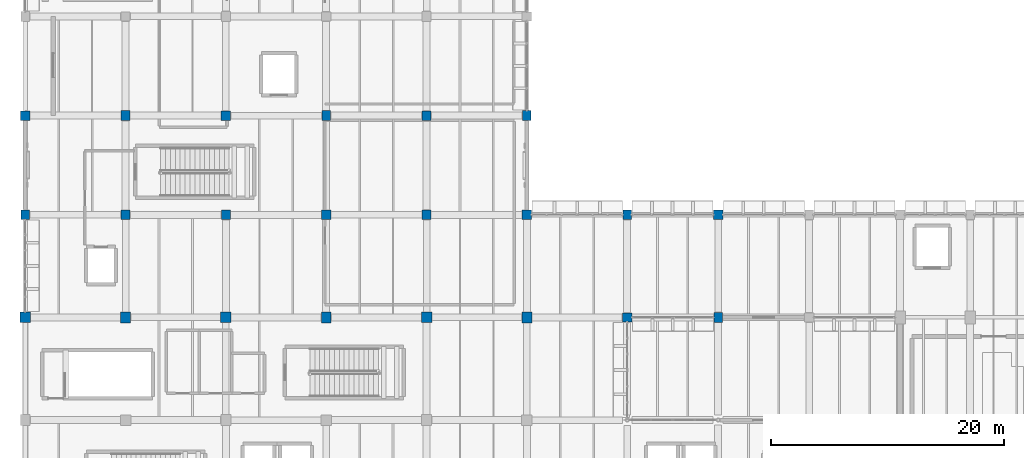
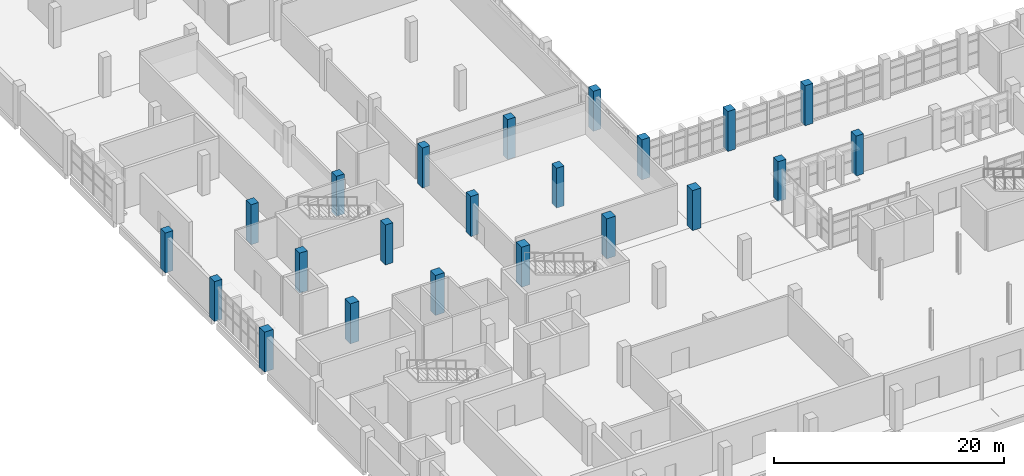
# One storey, part 4 of 76: 22 columns.
"""IFC4 building model written with IfcOpenShell, lengths in metres."""

from ifc_helpers import new_model, si_unit, direction, frame, origin, origin_2d, place, context, subcontext, project, spatial, rectangle, extrude, material, material_profile, profile_set, type_object, element, save


model = new_model("IFC4")

# Units and contexts
model_context = context("Model", 3, precision=1e-05, world=origin(), true_north=direction((0.0, 1.0)))
body_context = subcontext(model_context, "Body", "Model", "MODEL_VIEW")
ifc_project = project(units=[si_unit("LENGTHUNIT", "METRE"), si_unit("AREAUNIT", "SQUARE_METRE"), si_unit("VOLUMEUNIT", "CUBIC_METRE"), si_unit("PLANEANGLEUNIT", "RADIAN"), si_unit("MASSUNIT", "GRAM", prefix="KILO")], contexts=[model_context])

# Site, building, storey
site_placement = place(None, origin())
site = spatial("IfcSite", under=ifc_project, at=site_placement, CompositionType="ELEMENT")
building_placement = place(site_placement, origin())
building = spatial("IfcBuilding", under=site, at=building_placement, Name="Varnakota Cinema and Media Centre", CompositionType="ELEMENT")
storey_placement = place(building_placement, origin())
storey = spatial("IfcBuildingStorey", under=building, at=storey_placement, Name="L00", CompositionType="ELEMENT", Elevation=0.0)

# Columns
ifc_material_1 = material(Name="Concrete M40", Category="concrete")
ifc_material_profile_1 = material_profile(ifc_material_1, rectangle(XDim=0.75, YDim=0.85009765625, at=origin_2d()), Name="RC 750x850")
ifc_profile_set_1 = profile_set([ifc_material_profile_1], Name="Concrete M40")
column_type_1 = type_object("IfcColumnType", Name="COL-RC-750x850", PredefinedType="COLUMN", material=ifc_profile_set_1)
for number, where, z_axis, x_axis, name in (
    (1, (0.0, 44.0, 0.0), (0.0, 0.0, 1.0), (1.0, 0.0, 0.0), "L00 column A/6"),
    (2, (8.60009765625, 52.5, 0.0), (0.0, 0.0, 1.0), (1.0, 0.0, 0.0), "L00 column B/7"),
    (3, (17.199951171875, 44.0, 0.0), (0.0, 0.0, 1.0), (1.0, 0.0, 0.0), "L00 column C/6"),
    (4, (25.800048828125, 52.5, 0.0), (0.0, 0.0, 1.0), (1.0, 0.0, 0.0), "L00 column D/7"),
    (5, (34.39990234375, 44.0, 0.0), (0.0, 0.0, 1.0), (1.0, 0.0, 0.0), "L00 column E/6"),
    (6, (43.0, 52.5, 0.0), (0.0, 0.0, 1.0), (1.0, 0.0, 0.0), "L00 column F/7"),
    (7, (51.60009765625, 44.0, 0.0), (0.0, 0.0, 1.0), (1.0, 0.0, 0.0), "L00 column G/6"),
    (8, (59.39990234375, 35.199951171875, 0.0), (0.0, 0.0, 1.0), (1.0, 0.0, 0.0), "L00 column H/5"),
):
    element("IfcColumn", number, at=place(storey_placement, frame(where, z_axis=z_axis, x_axis=x_axis)), inside=storey, type_object=column_type_1, Name=name, PredefinedType="COLUMN", context=body_context, shape_type="SweptSolid", body=[
        extrude(rectangle(XDim=0.75, YDim=0.85009765625, at=origin_2d()), origin(), (0.0, 0.0, 1.0), 4.25),
    ])
ifc_material_2 = material(Name="Concrete M40", Category="concrete")
ifc_material_profile_2 = material_profile(ifc_material_2, rectangle(XDim=0.800048828125, YDim=0.800048828125, at=origin_2d()), Name="RC 800x800")
ifc_profile_set_2 = profile_set([ifc_material_profile_2], Name="Concrete M40")
column_type_2 = type_object("IfcColumnType", Name="COL-RC-800x800", PredefinedType="COLUMN", material=ifc_profile_set_2)
for number, where, z_axis, x_axis, name in (
    (9, (0.0, 52.5, 0.0), (0.0, 0.0, 1.0), (1.0, 0.0, 0.0), "L00 column A/7"),
    (10, (8.60009765625, 44.0, 0.0), (0.0, 0.0, 1.0), (1.0, 0.0, 0.0), "L00 column B/6"),
    (11, (17.199951171875, 52.5, 0.0), (0.0, 0.0, 1.0), (1.0, 0.0, 0.0), "L00 column C/7"),
    (12, (25.800048828125, 44.0, 0.0), (0.0, 0.0, 1.0), (1.0, 0.0, 0.0), "L00 column D/6"),
    (13, (34.39990234375, 52.5, 0.0), (0.0, 0.0, 1.0), (1.0, 0.0, 0.0), "L00 column E/7"),
    (14, (43.0, 44.0, 0.0), (0.0, 0.0, 1.0), (1.0, 0.0, 0.0), "L00 column F/6"),
    (15, (51.60009765625, 35.199951171875, 0.0), (0.0, 0.0, 1.0), (1.0, 0.0, 0.0), "L00 column G/5"),
    (16, (59.39990234375, 44.0, 0.0), (0.0, 0.0, 1.0), (1.0, 0.0, 0.0), "L00 column H/6"),
):
    element("IfcColumn", number, at=place(storey_placement, frame(where, z_axis=z_axis, x_axis=x_axis)), inside=storey, type_object=column_type_2, Name=name, PredefinedType="COLUMN", context=body_context, shape_type="SweptSolid", body=[
        extrude(rectangle(XDim=0.800048828125, YDim=0.800048828125, at=origin_2d()), origin(), (0.0, 0.0, 1.0), 4.25),
    ])
ifc_material_3 = material(Name="Concrete M50", Category="concrete")
ifc_material_profile_3 = material_profile(ifc_material_3, rectangle(XDim=0.85009765625, YDim=0.949951171875, at=origin_2d()), Name="RC 850x950")
ifc_profile_set_3 = profile_set([ifc_material_profile_3], Name="Concrete M50")
column_type_3 = type_object("IfcColumnType", Name="COL-RC-850x950", PredefinedType="COLUMN", material=ifc_profile_set_3)
for number, where, z_axis, x_axis, name in (
    (17, (8.60009765625, 35.199951171875, 0.0), (0.0, 0.0, 1.0), (1.0, 0.0, 0.0), "L00 column B/5"),
    (18, (25.800048828125, 35.199951171875, 0.0), (0.0, 0.0, 1.0), (1.0, 0.0, 0.0), "L00 column D/5"),
    (19, (43.0, 35.199951171875, 0.0), (0.0, 0.0, 1.0), (1.0, 0.0, 0.0), "L00 column F/5"),
):
    element("IfcColumn", number, at=place(storey_placement, frame(where, z_axis=z_axis, x_axis=x_axis)), inside=storey, type_object=column_type_3, Name=name, PredefinedType="COLUMN", context=body_context, shape_type="SweptSolid", body=[
        extrude(rectangle(XDim=0.85009765625, YDim=0.949951171875, at=origin_2d()), origin(), (0.0, 0.0, 1.0), 4.25),
    ])
ifc_material_4 = material(Name="Concrete M50", Category="concrete")
ifc_material_profile_4 = material_profile(ifc_material_4, rectangle(XDim=0.89990234375, YDim=0.89990234375, at=origin_2d()), Name="RC 900x900")
ifc_profile_set_4 = profile_set([ifc_material_profile_4], Name="Concrete M50")
column_type_4 = type_object("IfcColumnType", Name="COL-RC-900x900", PredefinedType="COLUMN", material=ifc_profile_set_4)
for number, where, z_axis, x_axis, name in (
    (20, (0.0, 35.199951171875, 0.0), (0.0, 0.0, 1.0), (1.0, 0.0, 0.0), "L00 column A/5"),
    (21, (17.199951171875, 35.199951171875, 0.0), (0.0, 0.0, 1.0), (1.0, 0.0, 0.0), "L00 column C/5"),
    (22, (34.39990234375, 35.199951171875, 0.0), (0.0, 0.0, 1.0), (1.0, 0.0, 0.0), "L00 column E/5"),
):
    element("IfcColumn", number, at=place(storey_placement, frame(where, z_axis=z_axis, x_axis=x_axis)), inside=storey, type_object=column_type_4, Name=name, PredefinedType="COLUMN", context=body_context, shape_type="SweptSolid", body=[
        extrude(rectangle(XDim=0.89990234375, YDim=0.89990234375, at=origin_2d()), origin(), (0.0, 0.0, 1.0), 4.25),
    ])

save(model, "model.ifc")
